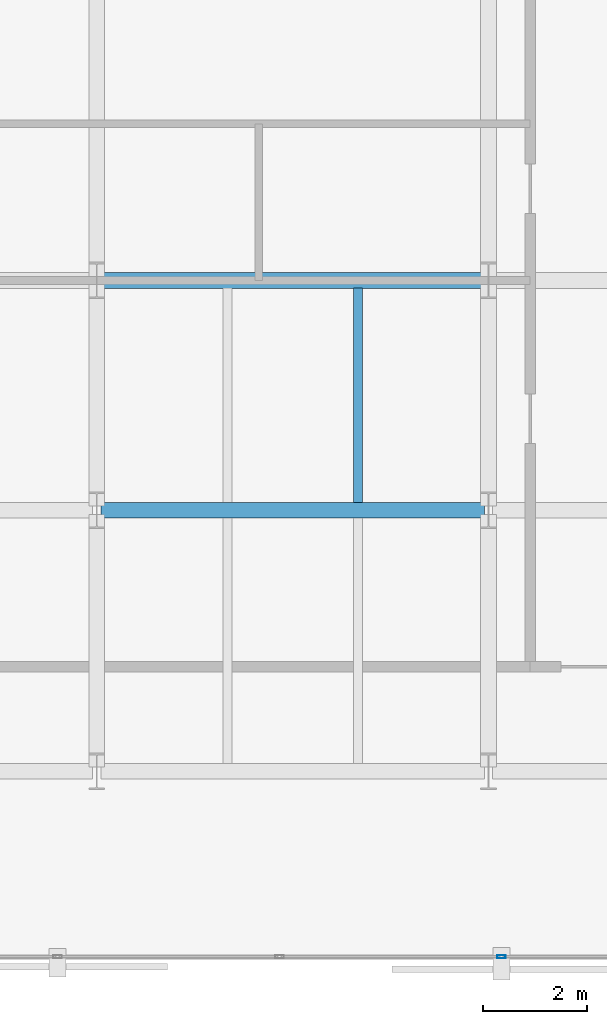
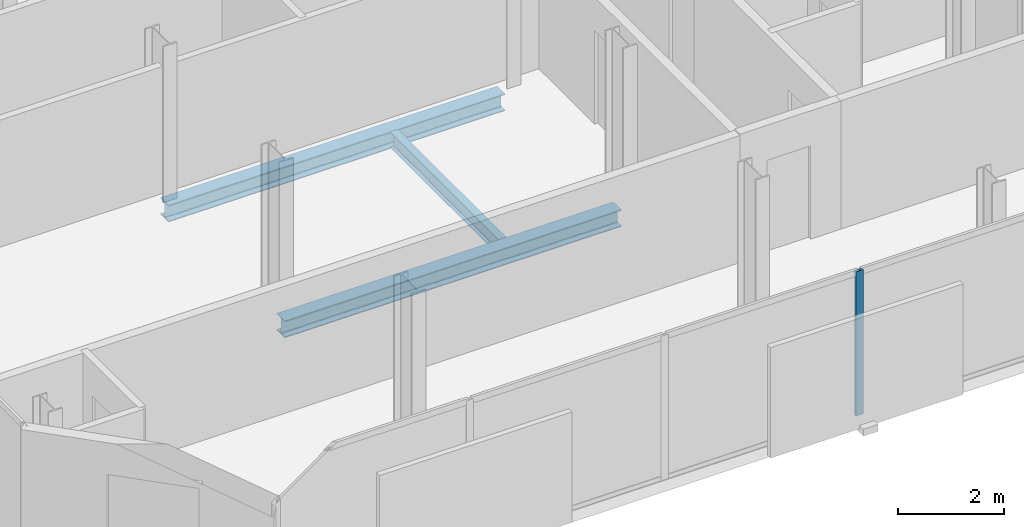
# One storey, part 6 of 32: 3 beams, 1 member, 1 element without a shape of its own.
"""IFC4 building model written with IfcOpenShell, lengths in metres."""

import ifcopenshell
import ifcopenshell.guid

model = None  # the IFC model being written
_history = None  # IfcOwnerHistory: only IFC2X3 demands one
_inside = {}  # id of a spatial element -> (the spatial element, [elements in it])
_under = {}  # id of a project, library or spatial element -> (it, [spatial elements below it])
_declared = {}  # id of a project -> (the project, [libraries it declares])
_typed = {}  # id of a type object -> (the type object, [elements of that type])
_made_of = {}  # id of a material, layer set ... -> (it, [elements and type objects made of it])


def new_model(schema):
    """Start an empty IFC model of exactly this schema.

    Asked for "IFC4X3", IfcOpenShell would pick the latest addendum, in which some entities
    have other attributes; the version numbers below select the first issue.
    IFC2X3 requires an IfcOwnerHistory on every rooted entity: one is made here for all.
    """
    global model, _history
    if schema == "IFC4X3":
        model = ifcopenshell.file(schema_version=(4, 3, 0, 0))
    else:
        model = ifcopenshell.file(schema=schema)
    _inside.clear()
    _under.clear()
    _declared.clear()
    _typed.clear()
    _made_of.clear()
    _history = None
    if model.schema == "IFC2X3":
        org = make("IfcOrganization", Name="unknown")
        user = make(
            "IfcPersonAndOrganization",
            ThePerson=make("IfcPerson", FamilyName="unknown"),
            TheOrganization=org,
        )
        app = make(
            "IfcApplication",
            ApplicationDeveloper=org,
            Version="unknown",
            ApplicationFullName="unknown",
            ApplicationIdentifier="unknown",
        )
        _history = make(
            "IfcOwnerHistory",
            OwningUser=user,
            OwningApplication=app,
            ChangeAction="ADDED",
            CreationDate=0,
        )
    return model


def make(cls, **values):
    """One entity of the class cls with the attributes given. An attribute that is None is left unset."""
    return model.create_entity(
        cls, **{name: value for name, value in values.items() if value is not None}
    )


def rooted(cls, **values):
    """An entity with a GlobalId (a new one), such as an element, a storey or a relation."""
    return make(cls, GlobalId=ifcopenshell.guid.new(), OwnerHistory=_history, **values)


def si_unit(unit_type, name, prefix=None):
    """IfcSIUnit, for example si_unit("LENGTHUNIT", "METRE", prefix="MILLI")."""
    return make("IfcSIUnit", UnitType=unit_type, Prefix=prefix, Name=name)


def assignment(units):
    """IfcUnitAssignment: the units of a project."""
    return None if units is None else make("IfcUnitAssignment", Units=units)


def point(xyz):
    """IfcCartesianPoint."""
    return None if xyz is None else make("IfcCartesianPoint", Coordinates=xyz)


def direction(xyz):
    """IfcDirection."""
    return None if xyz is None else make("IfcDirection", DirectionRatios=xyz)


def frame(location, z_axis=None, x_axis=None):
    """IfcAxis2Placement3D, a coordinate frame: its origin and axes. An axis left out is left unset."""
    return make(
        "IfcAxis2Placement3D",
        Location=point(location),
        Axis=direction(z_axis),
        RefDirection=direction(x_axis),
    )


def frame_2d(location, x_axis=None):
    """IfcAxis2Placement2D, a coordinate frame in the plane: its origin and x axis."""
    return make(
        "IfcAxis2Placement2D", Location=point(location), RefDirection=direction(x_axis)
    )


def origin():
    """The frame at (0, 0, 0) with its axes left unset."""
    return frame((0.0, 0.0, 0.0))


def origin_2d():
    """The frame at (0, 0) in the plane with its x axis left unset."""
    return frame_2d((0.0, 0.0))


def place(relative_to, where):
    """IfcLocalPlacement: puts the frame where relative to a parent placement (None: the world)."""
    return make(
        "IfcLocalPlacement", PlacementRelTo=relative_to, RelativePlacement=where
    )


def context(
    kind, dimensions, precision=None, world=None, true_north=None, identifier=None
):
    """IfcGeometricRepresentationContext, for example the 3D "Model" context."""
    return make(
        "IfcGeometricRepresentationContext",
        ContextIdentifier=identifier,
        ContextType=kind,
        CoordinateSpaceDimension=dimensions,
        Precision=precision,
        WorldCoordinateSystem=world,
        TrueNorth=true_north,
    )


def subcontext(parent, identifier, kind, view, scale=None):
    """IfcGeometricRepresentationSubContext, for example "Body" below "Model"."""
    return make(
        "IfcGeometricRepresentationSubContext",
        ContextIdentifier=identifier,
        ContextType=kind,
        ParentContext=parent,
        TargetScale=scale,
        TargetView=view,
    )


def project(units=None, contexts=None):
    """IfcProject with its units and contexts."""
    return rooted(
        "IfcProject",
        Name="project",
        RepresentationContexts=contexts,
        UnitsInContext=assignment(units),
    )


def spatial(cls, under=None, at=None, **own):
    """A site, building, storey or space (cls), placed at a placement, below another one or the project."""
    s = rooted(cls, ObjectPlacement=at, **own)
    if under is not None:
        _under.setdefault(under.id(), (under, []))[1].append(s)
    return s


def profile(cls, at=None, kind="AREA", **sizes):
    """A parametric profile (cls). Its sizes go by their IFC names, for example OverallWidth=200.0."""
    return make(cls, ProfileType=kind, Position=at, **sizes)


def hollow_rectangle(**sizes):
    """IfcRectangleHollowProfileDef."""
    return profile("IfcRectangleHollowProfileDef", **sizes)


def i_section(**sizes):
    """IfcIShapeProfileDef."""
    return profile("IfcIShapeProfileDef", **sizes)


def extrude(swept, where, along, depth):
    """IfcExtrudedAreaSolid: the profile swept, set in the frame where, extruded along a direction by depth."""
    return make(
        "IfcExtrudedAreaSolid",
        SweptArea=swept,
        Position=where,
        ExtrudedDirection=direction(along),
        Depth=depth,
    )


def shape(context_of_items, identifier, shape_type, items):
    """IfcShapeRepresentation: the items that make up one representation, for example the "Body"."""
    return make(
        "IfcShapeRepresentation",
        ContextOfItems=context_of_items,
        RepresentationIdentifier=identifier,
        RepresentationType=shape_type,
        Items=items,
    )


def material(Name=None, Category=None):
    """IfcMaterial."""
    return make("IfcMaterial", Name=Name, Category=Category)


def layer(
    of_material, thickness, ventilated=None, Name=None, Category=None, Priority=None
):
    """IfcMaterialLayer: one layer of a wall or slab, of a material (None: an air gap)."""
    return make(
        "IfcMaterialLayer",
        Material=of_material,
        LayerThickness=thickness,
        IsVentilated=ventilated,
        Name=Name,
        Category=Category,
        Priority=Priority,
    )


def layer_set(layers, Name=None):
    """IfcMaterialLayerSet."""
    return make("IfcMaterialLayerSet", MaterialLayers=layers, LayerSetName=Name)


def material_profile(
    of_material, cross_section, Name=None, Category=None, Priority=None
):
    """IfcMaterialProfile: a cross section and its material."""
    return make(
        "IfcMaterialProfile",
        Name=Name,
        Material=of_material,
        Profile=cross_section,
        Priority=Priority,
        Category=Category,
    )


def profile_set(profiles, Name=None, composite=None):
    """IfcMaterialProfileSet."""
    return make(
        "IfcMaterialProfileSet",
        Name=Name,
        MaterialProfiles=profiles,
        CompositeProfile=composite,
    )


def made_of(thing, what):
    """Note that an element or type object is made of a material, layer set ...; save() writes the relation."""
    if what is not None:
        _made_of.setdefault(what.id(), (what, []))[1].append(thing)
    return thing


def type_object(cls, material=None, **own):
    """A type object (cls), such as IfcWallType, which elements share."""
    return made_of(rooted(cls, **own), material)


def element(
    cls,
    number,
    at=None,
    inside=None,
    cuts=None,
    type_object=None,
    material=None,
    context=None,
    identifier="Body",
    shape_type=None,
    held_by="IfcProductDefinitionShape",
    body=None,
    shapes=None,
    **own,
):
    """One element of the class cls, such as IfcWall. Its Tag is "e" and its number.

    at: its placement. inside: the storey or other place that contains it. cuts: it is an
    opening in that element (IfcRelVoidsElement). A single representation is given by context,
    identifier, shape_type and body (its items); several are given by shapes. held_by: the class
    of the entity that holds the representations. save() writes the other relations.
    """
    e = rooted(cls, Tag="e%d" % number, ObjectPlacement=at, **own)
    if body is not None:
        shapes = [shape(context, identifier, shape_type, body)]
    if shapes is not None:
        e.Representation = make(held_by, Representations=shapes)
    if inside is not None:
        _inside.setdefault(inside.id(), (inside, []))[1].append(e)
    if cuts is not None:
        rooted(
            "IfcRelVoidsElement", RelatingBuildingElement=cuts, RelatedOpeningElement=e
        )
    if type_object is not None:
        _typed.setdefault(type_object.id(), (type_object, []))[1].append(e)
    return made_of(e, material)


def aggregate(whole, parts):
    """IfcRelAggregates: a whole, such as a stair, and the parts it consists of."""
    return rooted("IfcRelAggregates", RelatingObject=whole, RelatedObjects=parts)


def save(model, path):
    """Write the relations noted so far, then the file.

    IfcRelAggregates (storeys below a building ...), IfcRelContainedInSpatialStructure (elements
    in a storey), IfcRelDefinesByType, IfcRelAssociatesMaterial and IfcRelDeclares: one each for
    every whole, place, type object, material and project.
    """
    for whole, parts in _under.values():
        aggregate(whole, parts)
    for where, things in _inside.values():
        rooted(
            "IfcRelContainedInSpatialStructure",
            RelatedElements=things,
            RelatingStructure=where,
        )
    for kind, things in _typed.values():
        rooted("IfcRelDefinesByType", RelatedObjects=things, RelatingType=kind)
    for what, things in _made_of.values():
        rooted("IfcRelAssociatesMaterial", RelatedObjects=things, RelatingMaterial=what)
    for by, libraries in _declared.values():
        rooted("IfcRelDeclares", RelatingContext=by, RelatedDefinitions=libraries)
    model.write(path)


model = new_model("IFC4")

# Units and contexts
model_context = context("Model", 3, precision=1e-05, world=origin(), true_north=direction((0.0, 1.0)))
body_context = subcontext(model_context, "Body", "Model", "MODEL_VIEW")
ifc_project = project(units=[si_unit("LENGTHUNIT", "METRE"), si_unit("AREAUNIT", "SQUARE_METRE"), si_unit("VOLUMEUNIT", "CUBIC_METRE"), si_unit("PLANEANGLEUNIT", "RADIAN"), si_unit("MASSUNIT", "GRAM", prefix="KILO")], contexts=[model_context])

# Site, building, storey
site_placement = place(None, origin())
site = spatial("IfcSite", under=ifc_project, at=site_placement, CompositionType="ELEMENT")
building_placement = place(site_placement, origin())
building = spatial("IfcBuilding", under=site, at=building_placement, Name="Catumbela Crestline Tower", CompositionType="ELEMENT")
storey_placement = place(building_placement, frame((0.0, 0.0, 136.8)))
storey = spatial("IfcBuildingStorey", under=building, at=storey_placement, Name="L35", CompositionType="ELEMENT", Elevation=136.8)

# Beams
ifc_material_1 = material(Name="Structural steel S355J2", Category="steel")
ifc_material_profile_1 = material_profile(ifc_material_1, i_section(OverallWidth=0.3, OverallDepth=0.39, WebThickness=0.011, FlangeThickness=0.019, FilletRadius=0.027, at=origin_2d()), Name="HEA 400")
ifc_profile_set_1 = profile_set([ifc_material_profile_1], Name="Structural steel S355J2")
beam_type_1 = type_object("IfcBeamType", Name="BG-HEA400", PredefinedType="BEAM", material=ifc_profile_set_1)
for number, where, z_axis, x_axis, name in (
    (1, (8.58, 13.6, -0.455), (1.0, 0.0, 0.0), (0.0, 1.0, 0.0), "L35 Beam BM-L35-WEW47"),
    (2, (8.58, 18.0, -0.455), (1.0, 0.0, 0.0), (0.0, 1.0, 0.0), "L35 Beam BM-L35-WEW50"),
):
    element("IfcBeam", number, at=place(storey_placement, frame(where, z_axis=z_axis, x_axis=x_axis)), inside=storey, type_object=beam_type_1, Name=name, PredefinedType="BEAM", context=body_context, shape_type="SweptSolid", body=[
        extrude(i_section(OverallWidth=0.3, OverallDepth=0.39, WebThickness=0.011, FlangeThickness=0.019, FilletRadius=0.027, at=origin_2d()), origin(), (0.0, 0.0, 1.0), 7.34),
    ])
ifc_material_profile_2 = material_profile(ifc_material_1, i_section(OverallWidth=0.17, OverallDepth=0.36, WebThickness=0.008, FlangeThickness=0.0127, FilletRadius=0.018, at=origin_2d()), Name="IPE 360")
ifc_profile_set_2 = profile_set([ifc_material_profile_2], Name="Structural steel S355J2")
beam_type_2 = type_object("IfcBeamType", Name="BJ-IPE360", PredefinedType="JOIST", material=ifc_profile_set_2)
beam_placement = place(storey_placement, frame((13.5, 13.747, -0.44), z_axis=(0.0, 1.0, 0.0), x_axis=(-1.0, 0.0, 0.0)))
element("IfcBeam", 3, at=beam_placement, inside=storey, type_object=beam_type_2, Name="L35 Joist JS-L35-WG72", PredefinedType="JOIST", context=body_context, shape_type="SweptSolid", body=[
    extrude(i_section(OverallWidth=0.17, OverallDepth=0.36, WebThickness=0.008, FlangeThickness=0.0127, FilletRadius=0.018, at=origin_2d()), origin(), (0.0, 0.0, 1.0), 4.106),
])

# Curtain wall, member
ifc_material_2 = material(Name="Aluminium alloy AW-6060-T66", Category="aluminium")
ifc_layer = layer(ifc_material_2, 0.18, Name="Aluminium alloy AW-6060-T66")
ifc_layer_set = layer_set([ifc_layer], Name="Aluminium alloy AW-6060-T66")
curtain_wall_type = type_object("IfcCurtainWallType", Name="CWU-Z2", PredefinedType="USERDEFINED", material=ifc_layer_set)
curtain_wall_placement = place(storey_placement, origin())
curtain_wall = element("IfcCurtainWall", 4, at=curtain_wall_placement, inside=storey, type_object=curtain_wall_type, Name="L35 Unitised Curtain Wall CW-L35-E0S1", ObjectType="UNITISED", PredefinedType="USERDEFINED")
ifc_material_profile_3 = material_profile(ifc_material_2, hollow_rectangle(XDim=0.06, YDim=0.16, WallThickness=0.004, at=origin_2d()), Name="ALU 160x60x4")
ifc_profile_set_3 = profile_set([ifc_material_profile_3], Name="Aluminium alloy AW-6060-T66")
member_type = type_object("IfcMemberType", Name="MUL-160X60", PredefinedType="MULLION", material=ifc_profile_set_3)
member_placement = place(storey_placement, frame((16.25, 5.05, 0.0), z_axis=(0.0, 0.0, 1.0), x_axis=(0.0, 1.0, 0.0)))
member = element("IfcMember", 5, at=member_placement, type_object=member_type, Name="CWU-Z2 mullion 4", PredefinedType="MULLION", context=body_context, shape_type="SweptSolid", body=[
    extrude(hollow_rectangle(XDim=0.06, YDim=0.16, WallThickness=0.004, at=origin_2d()), origin(), (0.0, 0.0, 1.0), 3.33),
])
aggregate(curtain_wall, [member])

save(model, "model.ifc")
